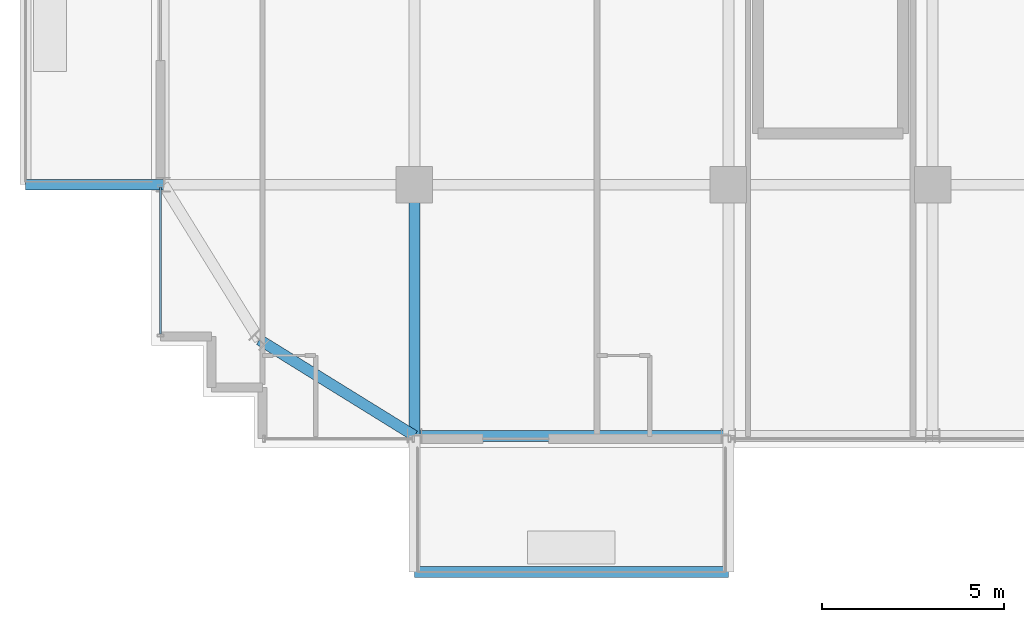
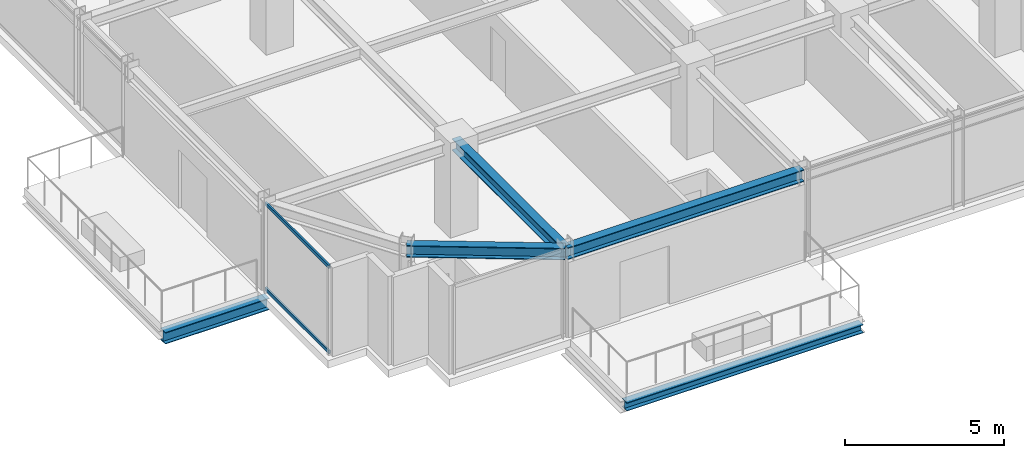
# One storey, part 4 of 35: 5 beams, 2 members, 1 element without a shape of its own.
"""IFC4 building model written with IfcOpenShell, lengths in metres."""

from ifc_helpers import new_model, si_unit, direction, frame, origin, origin_2d, place, context, subcontext, project, spatial, hollow_rectangle, i_section, extrude, source, transform, mapped, material, material_profile, profile_set, type_object, element, aggregate, save


model = new_model("IFC4")

# Units and contexts
model_context = context("Model", 3, precision=1e-05, world=origin(), true_north=direction((0.0, 1.0)))
body_context = subcontext(model_context, "Body", "Model", "MODEL_VIEW")
ifc_project = project(units=[si_unit("LENGTHUNIT", "METRE"), si_unit("AREAUNIT", "SQUARE_METRE"), si_unit("VOLUMEUNIT", "CUBIC_METRE"), si_unit("PLANEANGLEUNIT", "RADIAN"), si_unit("MASSUNIT", "GRAM", prefix="KILO")], contexts=[model_context])

# Site, building, storey
site_placement = place(None, origin())
site = spatial("IfcSite", under=ifc_project, at=site_placement, CompositionType="ELEMENT")
building_placement = place(site_placement, origin())
building = spatial("IfcBuilding", under=site, at=building_placement, Name="Nahalor Promenade Grand Hotel", CompositionType="ELEMENT")
storey_placement = place(building_placement, frame((0.0, 0.0, 245.60009765625)))
storey = spatial("IfcBuildingStorey", under=building, at=storey_placement, Name="L63", CompositionType="ELEMENT", Elevation=245.60009765625)

# Beams
ifc_material_1 = material(Name="Steel S355JR", Category="steel")
ifc_material_profile_1 = material_profile(ifc_material_1, i_section(OverallWidth=0.3, OverallDepth=0.32, WebThickness=0.0115, FlangeThickness=0.0205, at=origin_2d()), Name="HEB 320")
ifc_profile_set_1 = profile_set([ifc_material_profile_1], Name="Steel S355JR")
beam_type_1 = type_object("IfcBeamType", Name="Beam-BalcEdge-HEB320", PredefinedType="SPANDREL", material=ifc_profile_set_1)
shared_shape_1 = source(origin(), body_context, "Body", "SweptSolid", [
    extrude(i_section(OverallWidth=0.3, OverallDepth=0.32, WebThickness=0.0115, FlangeThickness=0.0205, at=origin_2d()), origin(), (0.0, 0.0, 1.0), 8.60009765625),
])
beam_1_placement = place(storey_placement, frame((-17.0, -27.610107421875, -0.440185546875), z_axis=(1.0, 0.0, 0.0), x_axis=(0.0, 1.0, 0.0)))
element("IfcBeam", 1, at=beam_1_placement, inside=storey, type_object=beam_type_1, Name="BM-L63-BC-01-F", PredefinedType="SPANDREL", context=body_context, shape_type="MappedRepresentation", body=[
    mapped(shared_shape_1, transform((0.0, 0.0, 0.0), scale=1.0)),
])
ifc_material_profile_2 = material_profile(ifc_material_1, i_section(OverallWidth=0.3, OverallDepth=0.45, WebThickness=0.014, FlangeThickness=0.026, at=origin_2d()), Name="HEB 450")
ifc_profile_set_2 = profile_set([ifc_material_profile_2], Name="Steel S355JR")
beam_type_2 = type_object("IfcBeamType", Name="Beam-Outrigger-HEB450", PredefinedType="BEAM", material=ifc_profile_set_2)
shared_shape_2 = source(origin(), body_context, "Body", "SweptSolid", [
    extrude(i_section(OverallWidth=0.3, OverallDepth=0.45, WebThickness=0.014, FlangeThickness=0.026, at=origin_2d()), origin(), (0.0, 0.0, 1.0), 3.780029296875),
])
beam_2_placement = place(storey_placement, frame((-27.659912109375, -17.0, -0.505126953125), z_axis=(1.0, 0.0, 0.0), x_axis=(0.0, 1.0, 0.0)))
element("IfcBeam", 2, at=beam_2_placement, inside=storey, type_object=beam_type_2, Name="BM-L63-BC-02-1", PredefinedType="BEAM", context=body_context, shape_type="MappedRepresentation", body=[
    mapped(shared_shape_2, transform((0.0, 0.0, 0.0), scale=1.0)),
])
ifc_material_profile_3 = material_profile(ifc_material_1, i_section(OverallWidth=0.3, OverallDepth=0.45, WebThickness=0.014, FlangeThickness=0.026, at=origin_2d()), Name="HEB 450")
ifc_profile_set_3 = profile_set([ifc_material_profile_3], Name="Steel S355JR")
beam_type_3 = type_object("IfcBeamType", Name="Beam-Spandrel-HEB450", PredefinedType="SPANDREL", material=ifc_profile_set_3)
shared_shape_3 = source(origin(), body_context, "Body", "SweptSolid", [
    extrude(i_section(OverallWidth=0.3, OverallDepth=0.45, WebThickness=0.014, FlangeThickness=0.026, at=origin_2d()), origin(), (0.0, 0.0, 1.0), 8.60009765625),
])
beam_3_placement = place(storey_placement, frame((-17.0, -23.8798828125, 3.184814453125), z_axis=(1.0, 0.0, 0.0), x_axis=(0.0, 1.0, 0.0)))
element("IfcBeam", 3, at=beam_3_placement, inside=storey, type_object=beam_type_3, Name="BM-L63-SP-S-0", PredefinedType="SPANDREL", context=body_context, shape_type="MappedRepresentation", body=[
    mapped(shared_shape_3, transform((0.0, 0.0, 0.0), scale=1.0)),
])
shared_shape_4 = source(origin(), body_context, "Body", "SweptSolid", [
    extrude(i_section(OverallWidth=0.3, OverallDepth=0.45, WebThickness=0.014, FlangeThickness=0.026, at=origin_2d()), origin(), (0.0, 0.0, 1.0), 4.997802734375),
])
beam_4_placement = place(storey_placement, frame((-17.0, -23.8798828125, 3.184814453125), z_axis=(-0.850360908404, 0.526199891161, 0.0), x_axis=(-0.526199891161, -0.850360908404, 0.0)))
element("IfcBeam", 4, at=beam_4_placement, inside=storey, type_object=beam_type_3, Name="BM-L63-SPC-SW-1", PredefinedType="SPANDREL", context=body_context, shape_type="MappedRepresentation", body=[
    mapped(shared_shape_4, transform((0.0, 0.0, 0.0), scale=1.0)),
])
ifc_material_profile_4 = material_profile(ifc_material_1, i_section(OverallWidth=0.3, OverallDepth=0.45, WebThickness=0.014, FlangeThickness=0.026, at=origin_2d()), Name="HEB 450")
ifc_profile_set_4 = profile_set([ifc_material_profile_4], Name="Steel S355JR")
beam_type_4 = type_object("IfcBeamType", Name="Beam-Girder-HEB450", PredefinedType="BEAM", material=ifc_profile_set_4)
shared_shape_5 = source(origin(), body_context, "Body", "SweptSolid", [
    extrude(i_section(OverallWidth=0.3, OverallDepth=0.45, WebThickness=0.014, FlangeThickness=0.026, at=origin_2d()), origin(), (0.0, 0.0, 1.0), 6.8798828125),
])
beam_5_placement = place(storey_placement, frame((-17.0, -23.8798828125, 3.184814453125), z_axis=(0.0, 1.0, 0.0), x_axis=(-1.0, 0.0, 0.0)))
element("IfcBeam", 5, at=beam_5_placement, inside=storey, type_object=beam_type_4, Name="BM-L63-GY-0-0", PredefinedType="BEAM", context=body_context, shape_type="MappedRepresentation", body=[
    mapped(shared_shape_5, transform((0.0, 0.0, 0.0), scale=1.0)),
])

# Curtain wall, members
ifc_material_2 = material(Name="Anodised Bronze Aluminium EN AW-6063 T6", Category="aluminium")
curtain_wall_type = type_object("IfcCurtainWallType", Name="CW2 Typical Hotel Flush Bronze Unitised Curtain Wall", PredefinedType="USERDEFINED", material=ifc_material_2)
curtain_wall_placement = place(storey_placement, origin())
curtain_wall = element("IfcCurtainWall", 6, at=curtain_wall_placement, inside=storey, type_object=curtain_wall_type, Name="L63 Curtain Wall CW-L63-W-1", ObjectType="UNITISED_CURTAIN_WALL", PredefinedType="USERDEFINED")
ifc_material_profile_5 = material_profile(ifc_material_2, hollow_rectangle(XDim=0.065, YDim=0.13, WallThickness=0.004, at=origin_2d()), Name="CWT 65x130x4")
ifc_profile_set_5 = profile_set([ifc_material_profile_5], Name="Anodised Bronze Aluminium EN AW-6063 T6")
member_type = type_object("IfcMemberType", Name="CWT2 Typical Bronze Transom 65x130", PredefinedType="USERDEFINED", material=ifc_profile_set_5)
shared_shape_6 = source(origin(), body_context, "Body", "SweptSolid", [
    extrude(hollow_rectangle(XDim=0.065, YDim=0.13, WallThickness=0.004, at=origin_2d()), origin(), (0.0, 0.0, 1.0), 4.030029296875),
])
member_1_placement = place(storey_placement, frame((-23.9599609375, -21.094970703125, 0.06494140625), z_axis=(0.0, 1.0, 0.0), x_axis=(-1.0, 0.0, 0.0)))
member_1 = element("IfcMember", 7, at=member_1_placement, type_object=member_type, Name="CW-L63-W-1 Transom 0-0", ObjectType="TRANSOM", PredefinedType="USERDEFINED", context=body_context, shape_type="MappedRepresentation", body=[
    mapped(shared_shape_6, transform((0.0, 0.0, 0.0), scale=1.0)),
])
member_2_placement = place(storey_placement, frame((-23.9599609375, -21.094970703125, 3.344970703125), z_axis=(0.0, 1.0, 0.0), x_axis=(-1.0, 0.0, 0.0)))
member_2 = element("IfcMember", 8, at=member_2_placement, type_object=member_type, Name="CW-L63-W-1 Transom 0-1", ObjectType="TRANSOM", PredefinedType="USERDEFINED", context=body_context, shape_type="MappedRepresentation", body=[
    mapped(shared_shape_6, transform((0.0, 0.0, 0.0), scale=1.0)),
])
aggregate(curtain_wall, [member_1, member_2])

save(model, "model.ifc")
